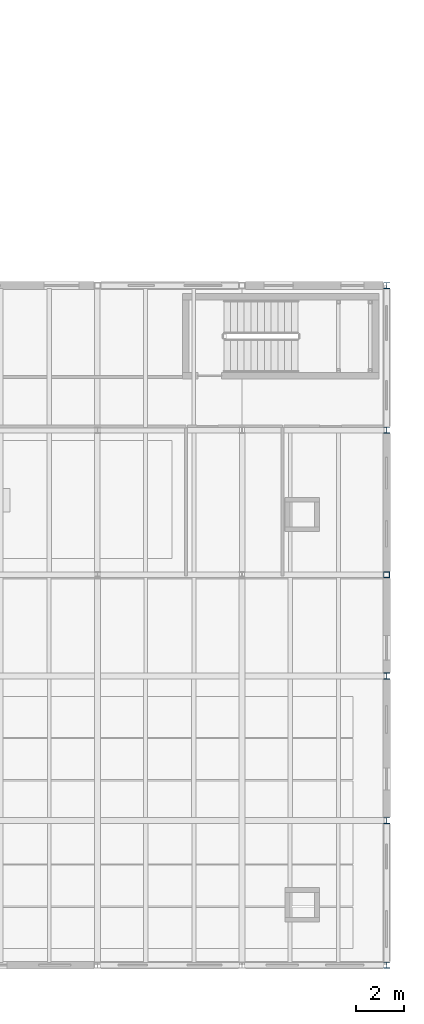
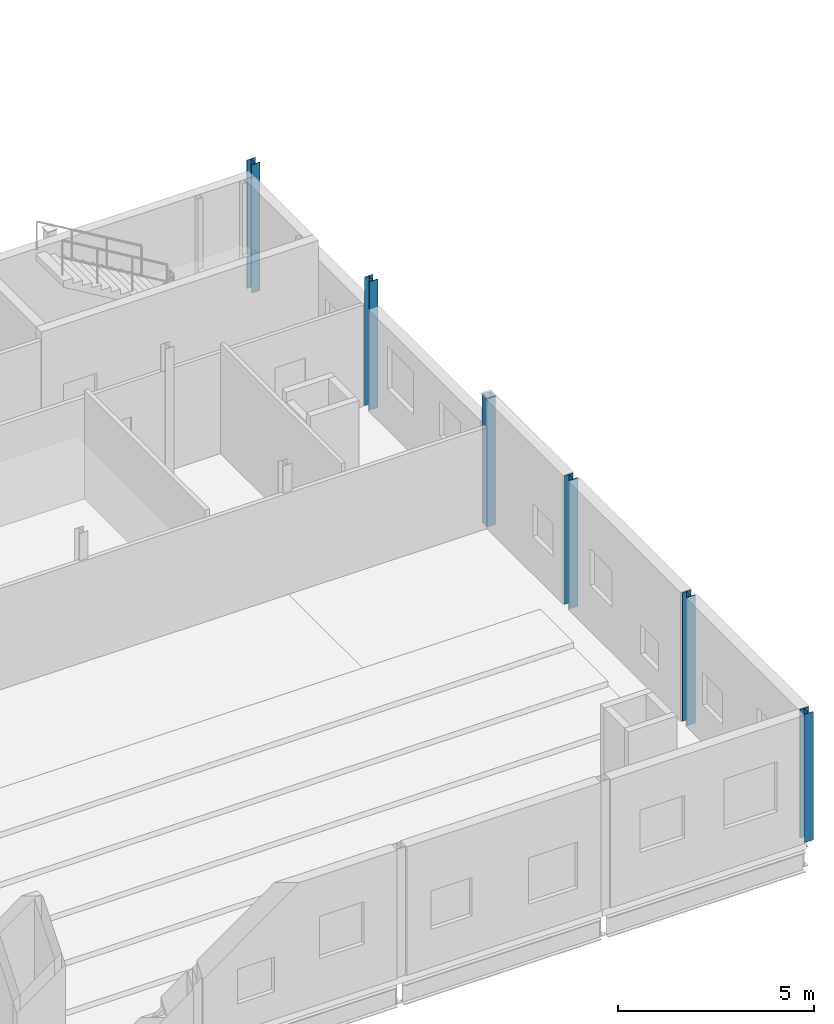
# One storey, part 14 of 92: 6 columns.
"""IFC4 building model written with IfcOpenShell, lengths in metres."""

import ifcopenshell
import ifcopenshell.guid

model = None  # the IFC model being written
_history = None  # IfcOwnerHistory: only IFC2X3 demands one
_inside = {}  # id of a spatial element -> (the spatial element, [elements in it])
_under = {}  # id of a project, library or spatial element -> (it, [spatial elements below it])
_declared = {}  # id of a project -> (the project, [libraries it declares])
_typed = {}  # id of a type object -> (the type object, [elements of that type])
_made_of = {}  # id of a material, layer set ... -> (it, [elements and type objects made of it])


def new_model(schema):
    """Start an empty IFC model of exactly this schema.

    Asked for "IFC4X3", IfcOpenShell would pick the latest addendum, in which some entities
    have other attributes; the version numbers below select the first issue.
    IFC2X3 requires an IfcOwnerHistory on every rooted entity: one is made here for all.
    """
    global model, _history
    if schema == "IFC4X3":
        model = ifcopenshell.file(schema_version=(4, 3, 0, 0))
    else:
        model = ifcopenshell.file(schema=schema)
    _inside.clear()
    _under.clear()
    _declared.clear()
    _typed.clear()
    _made_of.clear()
    _history = None
    if model.schema == "IFC2X3":
        org = make("IfcOrganization", Name="unknown")
        user = make(
            "IfcPersonAndOrganization",
            ThePerson=make("IfcPerson", FamilyName="unknown"),
            TheOrganization=org,
        )
        app = make(
            "IfcApplication",
            ApplicationDeveloper=org,
            Version="unknown",
            ApplicationFullName="unknown",
            ApplicationIdentifier="unknown",
        )
        _history = make(
            "IfcOwnerHistory",
            OwningUser=user,
            OwningApplication=app,
            ChangeAction="ADDED",
            CreationDate=0,
        )
    return model


def make(cls, **values):
    """One entity of the class cls with the attributes given. An attribute that is None is left unset."""
    return model.create_entity(
        cls, **{name: value for name, value in values.items() if value is not None}
    )


def rooted(cls, **values):
    """An entity with a GlobalId (a new one), such as an element, a storey or a relation."""
    return make(cls, GlobalId=ifcopenshell.guid.new(), OwnerHistory=_history, **values)


def si_unit(unit_type, name, prefix=None):
    """IfcSIUnit, for example si_unit("LENGTHUNIT", "METRE", prefix="MILLI")."""
    return make("IfcSIUnit", UnitType=unit_type, Prefix=prefix, Name=name)


def assignment(units):
    """IfcUnitAssignment: the units of a project."""
    return None if units is None else make("IfcUnitAssignment", Units=units)


def point(xyz):
    """IfcCartesianPoint."""
    return None if xyz is None else make("IfcCartesianPoint", Coordinates=xyz)


def direction(xyz):
    """IfcDirection."""
    return None if xyz is None else make("IfcDirection", DirectionRatios=xyz)


def frame(location, z_axis=None, x_axis=None):
    """IfcAxis2Placement3D, a coordinate frame: its origin and axes. An axis left out is left unset."""
    return make(
        "IfcAxis2Placement3D",
        Location=point(location),
        Axis=direction(z_axis),
        RefDirection=direction(x_axis),
    )


def frame_2d(location, x_axis=None):
    """IfcAxis2Placement2D, a coordinate frame in the plane: its origin and x axis."""
    return make(
        "IfcAxis2Placement2D", Location=point(location), RefDirection=direction(x_axis)
    )


def origin():
    """The frame at (0, 0, 0) with its axes left unset."""
    return frame((0.0, 0.0, 0.0))


def origin_2d():
    """The frame at (0, 0) in the plane with its x axis left unset."""
    return frame_2d((0.0, 0.0))


def place(relative_to, where):
    """IfcLocalPlacement: puts the frame where relative to a parent placement (None: the world)."""
    return make(
        "IfcLocalPlacement", PlacementRelTo=relative_to, RelativePlacement=where
    )


def context(
    kind, dimensions, precision=None, world=None, true_north=None, identifier=None
):
    """IfcGeometricRepresentationContext, for example the 3D "Model" context."""
    return make(
        "IfcGeometricRepresentationContext",
        ContextIdentifier=identifier,
        ContextType=kind,
        CoordinateSpaceDimension=dimensions,
        Precision=precision,
        WorldCoordinateSystem=world,
        TrueNorth=true_north,
    )


def subcontext(parent, identifier, kind, view, scale=None):
    """IfcGeometricRepresentationSubContext, for example "Body" below "Model"."""
    return make(
        "IfcGeometricRepresentationSubContext",
        ContextIdentifier=identifier,
        ContextType=kind,
        ParentContext=parent,
        TargetScale=scale,
        TargetView=view,
    )


def project(units=None, contexts=None):
    """IfcProject with its units and contexts."""
    return rooted(
        "IfcProject",
        Name="project",
        RepresentationContexts=contexts,
        UnitsInContext=assignment(units),
    )


def spatial(cls, under=None, at=None, **own):
    """A site, building, storey or space (cls), placed at a placement, below another one or the project."""
    s = rooted(cls, ObjectPlacement=at, **own)
    if under is not None:
        _under.setdefault(under.id(), (under, []))[1].append(s)
    return s


def profile(cls, at=None, kind="AREA", **sizes):
    """A parametric profile (cls). Its sizes go by their IFC names, for example OverallWidth=200.0."""
    return make(cls, ProfileType=kind, Position=at, **sizes)


def hollow_rectangle(**sizes):
    """IfcRectangleHollowProfileDef."""
    return profile("IfcRectangleHollowProfileDef", **sizes)


def i_section(**sizes):
    """IfcIShapeProfileDef."""
    return profile("IfcIShapeProfileDef", **sizes)


def extrude(swept, where, along, depth):
    """IfcExtrudedAreaSolid: the profile swept, set in the frame where, extruded along a direction by depth."""
    return make(
        "IfcExtrudedAreaSolid",
        SweptArea=swept,
        Position=where,
        ExtrudedDirection=direction(along),
        Depth=depth,
    )


def shape(context_of_items, identifier, shape_type, items):
    """IfcShapeRepresentation: the items that make up one representation, for example the "Body"."""
    return make(
        "IfcShapeRepresentation",
        ContextOfItems=context_of_items,
        RepresentationIdentifier=identifier,
        RepresentationType=shape_type,
        Items=items,
    )


def material(Name=None, Category=None):
    """IfcMaterial."""
    return make("IfcMaterial", Name=Name, Category=Category)


def material_profile(
    of_material, cross_section, Name=None, Category=None, Priority=None
):
    """IfcMaterialProfile: a cross section and its material."""
    return make(
        "IfcMaterialProfile",
        Name=Name,
        Material=of_material,
        Profile=cross_section,
        Priority=Priority,
        Category=Category,
    )


def profile_set(profiles, Name=None, composite=None):
    """IfcMaterialProfileSet."""
    return make(
        "IfcMaterialProfileSet",
        Name=Name,
        MaterialProfiles=profiles,
        CompositeProfile=composite,
    )


def made_of(thing, what):
    """Note that an element or type object is made of a material, layer set ...; save() writes the relation."""
    if what is not None:
        _made_of.setdefault(what.id(), (what, []))[1].append(thing)
    return thing


def type_object(cls, material=None, **own):
    """A type object (cls), such as IfcWallType, which elements share."""
    return made_of(rooted(cls, **own), material)


def element(
    cls,
    number,
    at=None,
    inside=None,
    cuts=None,
    type_object=None,
    material=None,
    context=None,
    identifier="Body",
    shape_type=None,
    held_by="IfcProductDefinitionShape",
    body=None,
    shapes=None,
    **own,
):
    """One element of the class cls, such as IfcWall. Its Tag is "e" and its number.

    at: its placement. inside: the storey or other place that contains it. cuts: it is an
    opening in that element (IfcRelVoidsElement). A single representation is given by context,
    identifier, shape_type and body (its items); several are given by shapes. held_by: the class
    of the entity that holds the representations. save() writes the other relations.
    """
    e = rooted(cls, Tag="e%d" % number, ObjectPlacement=at, **own)
    if body is not None:
        shapes = [shape(context, identifier, shape_type, body)]
    if shapes is not None:
        e.Representation = make(held_by, Representations=shapes)
    if inside is not None:
        _inside.setdefault(inside.id(), (inside, []))[1].append(e)
    if cuts is not None:
        rooted(
            "IfcRelVoidsElement", RelatingBuildingElement=cuts, RelatedOpeningElement=e
        )
    if type_object is not None:
        _typed.setdefault(type_object.id(), (type_object, []))[1].append(e)
    return made_of(e, material)


def aggregate(whole, parts):
    """IfcRelAggregates: a whole, such as a stair, and the parts it consists of."""
    return rooted("IfcRelAggregates", RelatingObject=whole, RelatedObjects=parts)


def save(model, path):
    """Write the relations noted so far, then the file.

    IfcRelAggregates (storeys below a building ...), IfcRelContainedInSpatialStructure (elements
    in a storey), IfcRelDefinesByType, IfcRelAssociatesMaterial and IfcRelDeclares: one each for
    every whole, place, type object, material and project.
    """
    for whole, parts in _under.values():
        aggregate(whole, parts)
    for where, things in _inside.values():
        rooted(
            "IfcRelContainedInSpatialStructure",
            RelatedElements=things,
            RelatingStructure=where,
        )
    for kind, things in _typed.values():
        rooted("IfcRelDefinesByType", RelatedObjects=things, RelatingType=kind)
    for what, things in _made_of.values():
        rooted("IfcRelAssociatesMaterial", RelatedObjects=things, RelatingMaterial=what)
    for by, libraries in _declared.values():
        rooted("IfcRelDeclares", RelatingContext=by, RelatedDefinitions=libraries)
    model.write(path)


model = new_model("IFC4")

# Units and contexts
model_context = context("Model", 3, precision=1e-05, world=origin(), true_north=direction((0.0, 1.0)))
body_context = subcontext(model_context, "Body", "Model", "MODEL_VIEW")
ifc_project = project(units=[si_unit("LENGTHUNIT", "METRE"), si_unit("AREAUNIT", "SQUARE_METRE"), si_unit("VOLUMEUNIT", "CUBIC_METRE"), si_unit("PLANEANGLEUNIT", "RADIAN"), si_unit("MASSUNIT", "GRAM", prefix="KILO")], contexts=[model_context])

# Site, building, storey
site_placement = place(None, origin())
site = spatial("IfcSite", under=ifc_project, at=site_placement, CompositionType="ELEMENT")
building_placement = place(site_placement, origin())
building = spatial("IfcBuilding", under=site, at=building_placement, Name="Siltcreek Boulevard Central Fire Station", CompositionType="ELEMENT")
storey_placement = place(building_placement, frame((0.0, 0.0, 6.0)))
storey = spatial("IfcBuildingStorey", under=building, at=storey_placement, Name="L02", CompositionType="ELEMENT", Elevation=6.0)

# Columns
ifc_material_1 = material(Name="Structural steel ASTM A500 GrC", Category="steel")
ifc_material_profile_1 = material_profile(ifc_material_1, hollow_rectangle(XDim=0.25, YDim=0.25, WallThickness=0.012451171875, at=origin_2d()), Name="HSS250X250X12.5")
ifc_profile_set_1 = profile_set([ifc_material_profile_1], Name="Structural steel ASTM A500 GrC")
column_type_1 = type_object("IfcColumnType", Name="COL_HSS250", PredefinedType="COLUMN", material=ifc_profile_set_1)
column_placement = place(storey_placement, frame((166.199951171875, 18.0, 0.0), z_axis=(0.0, 0.0, 1.0), x_axis=(1.0, 0.0, 0.0)))
element("IfcColumn", 1, at=column_placement, inside=storey, type_object=column_type_1, Name="L02 structural column COLG-L02-1662-180", PredefinedType="COLUMN", context=body_context, shape_type="SweptSolid", body=[
    extrude(hollow_rectangle(XDim=0.25, YDim=0.25, WallThickness=0.012451171875, at=origin_2d()), origin(), (0.0, 0.0, 1.0), 4.0),
])
ifc_material_2 = material(Name="Structural steel ASTM A992 Gr50", Category="steel")
ifc_material_profile_2 = material_profile(ifc_material_2, i_section(OverallWidth=0.25390625, OverallDepth=0.2529296875, WebThickness=0.008544921875, FlangeThickness=0.01416015625, at=origin_2d()), Name="W250X73")
ifc_profile_set_2 = profile_set([ifc_material_profile_2], Name="Structural steel ASTM A992 Gr50")
column_type_2 = type_object("IfcColumnType", Name="COL_W250X73", PredefinedType="COLUMN", material=ifc_profile_set_2)
for number, where, z_axis, x_axis, name in (
    (2, (166.199951171875, 1.800048828125, 0.0), (0.0, 0.0, 1.0), (1.0, 0.0, 0.0), "L02 structural column COLG-L02-1662-18"),
    (3, (166.199951171875, 7.800048828125, 0.0), (0.0, 0.0, 1.0), (1.0, 0.0, 0.0), "L02 structural column COLG-L02-1662-78"),
    (4, (166.199951171875, 13.800048828125, 0.0), (0.0, 0.0, 1.0), (1.0, 0.0, 0.0), "L02 structural column COLG-L02-1662-138"),
    (5, (166.199951171875, 24.0, 0.0), (0.0, 0.0, 1.0), (1.0, 0.0, 0.0), "L02 structural column COLG-L02-1662-240"),
    (6, (166.199951171875, 30.0, 0.0), (0.0, 0.0, 1.0), (1.0, 0.0, 0.0), "L02 structural column COLG-L02-1662-300"),
):
    element("IfcColumn", number, at=place(storey_placement, frame(where, z_axis=z_axis, x_axis=x_axis)), inside=storey, type_object=column_type_2, Name=name, PredefinedType="COLUMN", context=body_context, shape_type="SweptSolid", body=[
        extrude(i_section(OverallWidth=0.25390625, OverallDepth=0.2529296875, WebThickness=0.008544921875, FlangeThickness=0.01416015625, at=origin_2d()), origin(), (0.0, 0.0, 1.0), 4.0),
    ])

save(model, "model.ifc")
